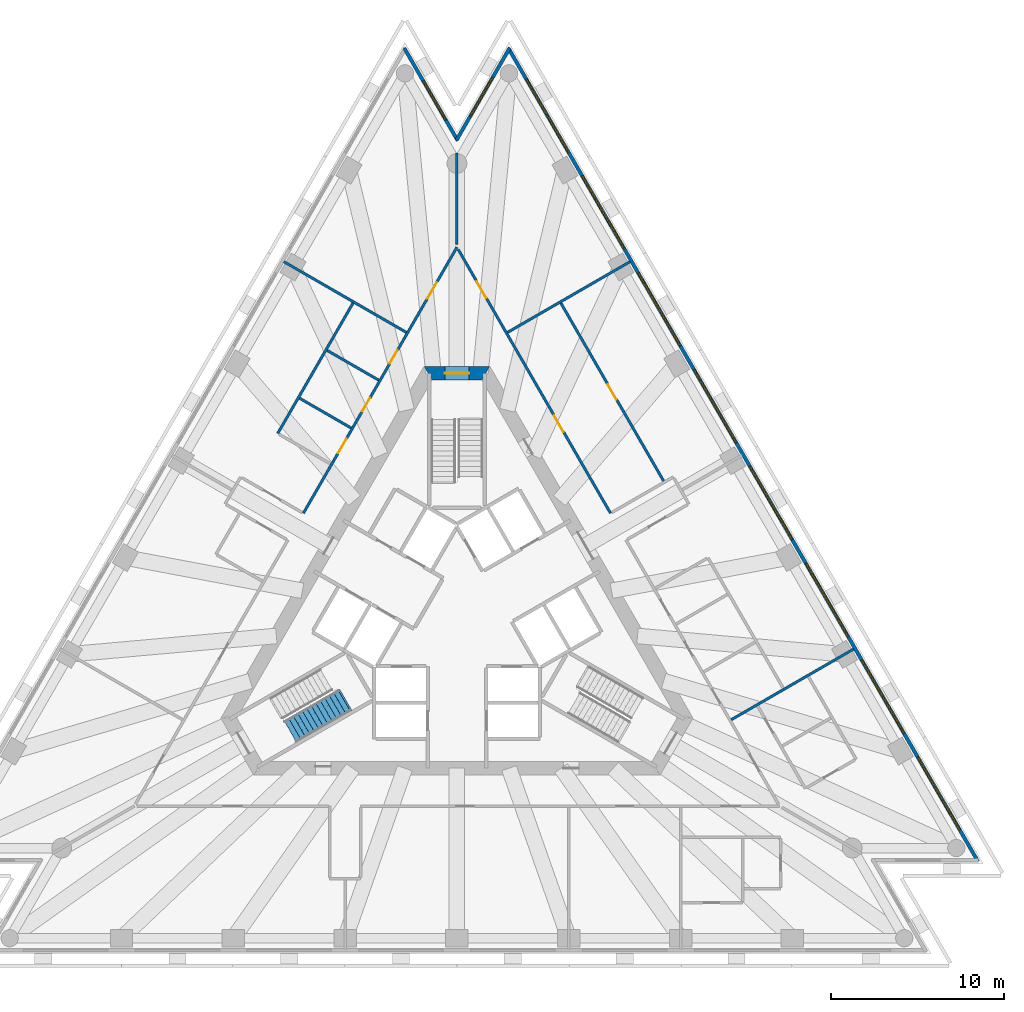
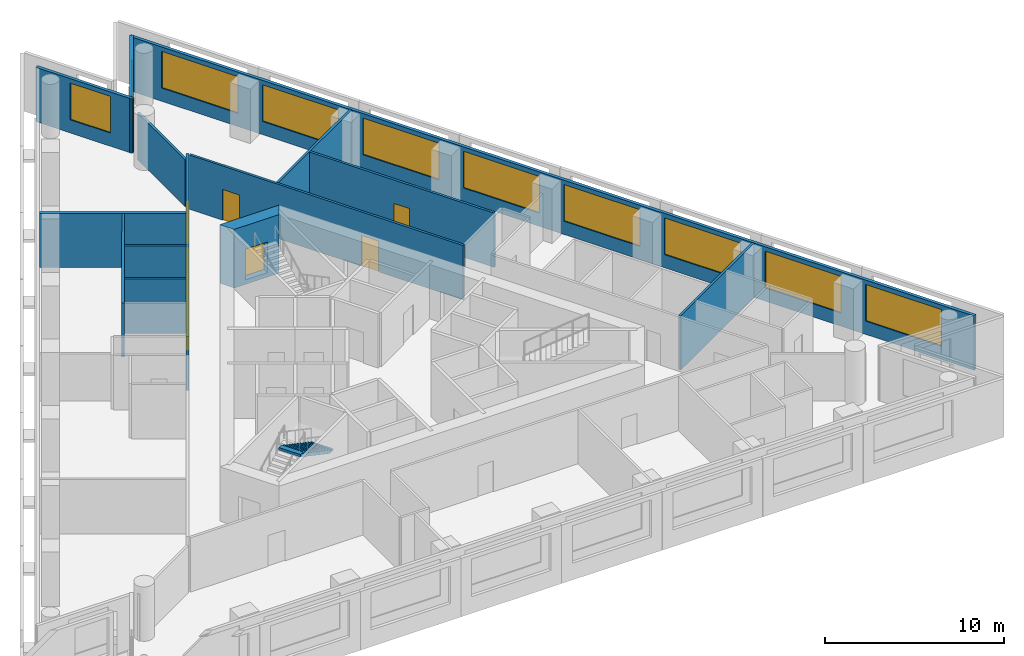
# One storey, part 6 of 9: 14 walls, 10 windows, 8 doors, 1 stair flight, 18 openings, 1 element without a shape of its own.
"""IFC4 building model written with IfcOpenShell, lengths in metres."""

import ifcopenshell
import ifcopenshell.guid

model = None  # the IFC model being written
_history = None  # IfcOwnerHistory: only IFC2X3 demands one
_inside = {}  # id of a spatial element -> (the spatial element, [elements in it])
_under = {}  # id of a project, library or spatial element -> (it, [spatial elements below it])
_declared = {}  # id of a project -> (the project, [libraries it declares])
_typed = {}  # id of a type object -> (the type object, [elements of that type])
_made_of = {}  # id of a material, layer set ... -> (it, [elements and type objects made of it])


def new_model(schema):
    """Start an empty IFC model of exactly this schema.

    Asked for "IFC4X3", IfcOpenShell would pick the latest addendum, in which some entities
    have other attributes; the version numbers below select the first issue.
    IFC2X3 requires an IfcOwnerHistory on every rooted entity: one is made here for all.
    """
    global model, _history
    if schema == "IFC4X3":
        model = ifcopenshell.file(schema_version=(4, 3, 0, 0))
    else:
        model = ifcopenshell.file(schema=schema)
    _inside.clear()
    _under.clear()
    _declared.clear()
    _typed.clear()
    _made_of.clear()
    _history = None
    if model.schema == "IFC2X3":
        org = make("IfcOrganization", Name="unknown")
        user = make(
            "IfcPersonAndOrganization",
            ThePerson=make("IfcPerson", FamilyName="unknown"),
            TheOrganization=org,
        )
        app = make(
            "IfcApplication",
            ApplicationDeveloper=org,
            Version="unknown",
            ApplicationFullName="unknown",
            ApplicationIdentifier="unknown",
        )
        _history = make(
            "IfcOwnerHistory",
            OwningUser=user,
            OwningApplication=app,
            ChangeAction="ADDED",
            CreationDate=0,
        )
    return model


def make(cls, **values):
    """One entity of the class cls with the attributes given. An attribute that is None is left unset."""
    return model.create_entity(
        cls, **{name: value for name, value in values.items() if value is not None}
    )


def rooted(cls, **values):
    """An entity with a GlobalId (a new one), such as an element, a storey or a relation."""
    return make(cls, GlobalId=ifcopenshell.guid.new(), OwnerHistory=_history, **values)


def si_unit(unit_type, name, prefix=None):
    """IfcSIUnit, for example si_unit("LENGTHUNIT", "METRE", prefix="MILLI")."""
    return make("IfcSIUnit", UnitType=unit_type, Prefix=prefix, Name=name)


def assignment(units):
    """IfcUnitAssignment: the units of a project."""
    return None if units is None else make("IfcUnitAssignment", Units=units)


def point(xyz):
    """IfcCartesianPoint."""
    return None if xyz is None else make("IfcCartesianPoint", Coordinates=xyz)


def direction(xyz):
    """IfcDirection."""
    return None if xyz is None else make("IfcDirection", DirectionRatios=xyz)


def frame(location, z_axis=None, x_axis=None):
    """IfcAxis2Placement3D, a coordinate frame: its origin and axes. An axis left out is left unset."""
    return make(
        "IfcAxis2Placement3D",
        Location=point(location),
        Axis=direction(z_axis),
        RefDirection=direction(x_axis),
    )


def frame_2d(location, x_axis=None):
    """IfcAxis2Placement2D, a coordinate frame in the plane: its origin and x axis."""
    return make(
        "IfcAxis2Placement2D", Location=point(location), RefDirection=direction(x_axis)
    )


def origin():
    """The frame at (0, 0, 0) with its axes left unset."""
    return frame((0.0, 0.0, 0.0))


def place(relative_to, where):
    """IfcLocalPlacement: puts the frame where relative to a parent placement (None: the world)."""
    return make(
        "IfcLocalPlacement", PlacementRelTo=relative_to, RelativePlacement=where
    )


def context(
    kind, dimensions, precision=None, world=None, true_north=None, identifier=None
):
    """IfcGeometricRepresentationContext, for example the 3D "Model" context."""
    return make(
        "IfcGeometricRepresentationContext",
        ContextIdentifier=identifier,
        ContextType=kind,
        CoordinateSpaceDimension=dimensions,
        Precision=precision,
        WorldCoordinateSystem=world,
        TrueNorth=true_north,
    )


def subcontext(parent, identifier, kind, view, scale=None):
    """IfcGeometricRepresentationSubContext, for example "Body" below "Model"."""
    return make(
        "IfcGeometricRepresentationSubContext",
        ContextIdentifier=identifier,
        ContextType=kind,
        ParentContext=parent,
        TargetScale=scale,
        TargetView=view,
    )


def project(units=None, contexts=None):
    """IfcProject with its units and contexts."""
    return rooted(
        "IfcProject",
        Name="project",
        RepresentationContexts=contexts,
        UnitsInContext=assignment(units),
    )


def spatial(cls, under=None, at=None, **own):
    """A site, building, storey or space (cls), placed at a placement, below another one or the project."""
    s = rooted(cls, ObjectPlacement=at, **own)
    if under is not None:
        _under.setdefault(under.id(), (under, []))[1].append(s)
    return s


def polyline(points):
    """IfcPolyline through the points."""
    return make("IfcPolyline", Points=[point(p) for p in points])


def profile(cls, at=None, kind="AREA", **sizes):
    """A parametric profile (cls). Its sizes go by their IFC names, for example OverallWidth=200.0."""
    return make(cls, ProfileType=kind, Position=at, **sizes)


def rectangle(**sizes):
    """IfcRectangleProfileDef."""
    return profile("IfcRectangleProfileDef", **sizes)


def outline(outer, holes=None, kind="AREA"):
    """IfcArbitraryClosedProfileDef: a profile drawn as a closed curve; with holes, ...WithVoids."""
    if holes is None:
        return make("IfcArbitraryClosedProfileDef", ProfileType=kind, OuterCurve=outer)
    return make(
        "IfcArbitraryProfileDefWithVoids",
        ProfileType=kind,
        OuterCurve=outer,
        InnerCurves=holes,
    )


def extrude(swept, where, along, depth):
    """IfcExtrudedAreaSolid: the profile swept, set in the frame where, extruded along a direction by depth."""
    return make(
        "IfcExtrudedAreaSolid",
        SweptArea=swept,
        Position=where,
        ExtrudedDirection=direction(along),
        Depth=depth,
    )


def shape(context_of_items, identifier, shape_type, items):
    """IfcShapeRepresentation: the items that make up one representation, for example the "Body"."""
    return make(
        "IfcShapeRepresentation",
        ContextOfItems=context_of_items,
        RepresentationIdentifier=identifier,
        RepresentationType=shape_type,
        Items=items,
    )


def material(Name=None, Category=None):
    """IfcMaterial."""
    return make("IfcMaterial", Name=Name, Category=Category)


def layer(
    of_material, thickness, ventilated=None, Name=None, Category=None, Priority=None
):
    """IfcMaterialLayer: one layer of a wall or slab, of a material (None: an air gap)."""
    return make(
        "IfcMaterialLayer",
        Material=of_material,
        LayerThickness=thickness,
        IsVentilated=ventilated,
        Name=Name,
        Category=Category,
        Priority=Priority,
    )


def layer_set(layers, Name=None):
    """IfcMaterialLayerSet."""
    return make("IfcMaterialLayerSet", MaterialLayers=layers, LayerSetName=Name)


def layer_usage(for_layer_set, set_direction, sense, offset, extent=None):
    """IfcMaterialLayerSetUsage: how a layer set lies in its element."""
    return make(
        "IfcMaterialLayerSetUsage",
        ForLayerSet=for_layer_set,
        LayerSetDirection=set_direction,
        DirectionSense=sense,
        OffsetFromReferenceLine=offset,
        ReferenceExtent=extent,
    )


def made_of(thing, what):
    """Note that an element or type object is made of a material, layer set ...; save() writes the relation."""
    if what is not None:
        _made_of.setdefault(what.id(), (what, []))[1].append(thing)
    return thing


def type_object(cls, material=None, **own):
    """A type object (cls), such as IfcWallType, which elements share."""
    return made_of(rooted(cls, **own), material)


def element(
    cls,
    number,
    at=None,
    inside=None,
    cuts=None,
    type_object=None,
    material=None,
    context=None,
    identifier="Body",
    shape_type=None,
    held_by="IfcProductDefinitionShape",
    body=None,
    shapes=None,
    **own,
):
    """One element of the class cls, such as IfcWall. Its Tag is "e" and its number.

    at: its placement. inside: the storey or other place that contains it. cuts: it is an
    opening in that element (IfcRelVoidsElement). A single representation is given by context,
    identifier, shape_type and body (its items); several are given by shapes. held_by: the class
    of the entity that holds the representations. save() writes the other relations.
    """
    e = rooted(cls, Tag="e%d" % number, ObjectPlacement=at, **own)
    if body is not None:
        shapes = [shape(context, identifier, shape_type, body)]
    if shapes is not None:
        e.Representation = make(held_by, Representations=shapes)
    if inside is not None:
        _inside.setdefault(inside.id(), (inside, []))[1].append(e)
    if cuts is not None:
        rooted(
            "IfcRelVoidsElement", RelatingBuildingElement=cuts, RelatedOpeningElement=e
        )
    if type_object is not None:
        _typed.setdefault(type_object.id(), (type_object, []))[1].append(e)
    return made_of(e, material)


def fill(opening, filler):
    """IfcRelFillsElement: the door or window that sits in an opening."""
    return rooted(
        "IfcRelFillsElement",
        RelatingOpeningElement=opening,
        RelatedBuildingElement=filler,
    )


def aggregate(whole, parts):
    """IfcRelAggregates: a whole, such as a stair, and the parts it consists of."""
    return rooted("IfcRelAggregates", RelatingObject=whole, RelatedObjects=parts)


def save(model, path):
    """Write the relations noted so far, then the file.

    IfcRelAggregates (storeys below a building ...), IfcRelContainedInSpatialStructure (elements
    in a storey), IfcRelDefinesByType, IfcRelAssociatesMaterial and IfcRelDeclares: one each for
    every whole, place, type object, material and project.
    """
    for whole, parts in _under.values():
        aggregate(whole, parts)
    for where, things in _inside.values():
        rooted(
            "IfcRelContainedInSpatialStructure",
            RelatedElements=things,
            RelatingStructure=where,
        )
    for kind, things in _typed.values():
        rooted("IfcRelDefinesByType", RelatedObjects=things, RelatingType=kind)
    for what, things in _made_of.values():
        rooted("IfcRelAssociatesMaterial", RelatedObjects=things, RelatingMaterial=what)
    for by, libraries in _declared.values():
        rooted("IfcRelDeclares", RelatingContext=by, RelatedDefinitions=libraries)
    model.write(path)


model = new_model("IFC4")

# Units and contexts
model_context = context("Model", 3, precision=1e-05, world=origin(), true_north=direction((0.0, 1.0)))
body_context = subcontext(model_context, "Body", "Model", "MODEL_VIEW")
ifc_project = project(units=[si_unit("LENGTHUNIT", "METRE"), si_unit("AREAUNIT", "SQUARE_METRE"), si_unit("VOLUMEUNIT", "CUBIC_METRE"), si_unit("PLANEANGLEUNIT", "RADIAN"), si_unit("MASSUNIT", "GRAM", prefix="KILO")], contexts=[model_context])

# Site, building, storey
site_placement = place(None, origin())
site = spatial("IfcSite", under=ifc_project, at=site_placement, CompositionType="ELEMENT")
building_placement = place(site_placement, origin())
building = spatial("IfcBuilding", under=site, at=building_placement, Name="Triada Interchange Tower", CompositionType="ELEMENT")
storey_placement = place(building_placement, frame((0.0, 0.0, 172.300048828125)))
storey = spatial("IfcBuildingStorey", under=building, at=storey_placement, Name="L40", CompositionType="ELEMENT", Elevation=172.300048828125)

# Wall, opening, door
ifc_material_1 = material(Name="Concrete C60/75", Category="concrete")
ifc_layer_1 = layer(ifc_material_1, 0.800048828125)
ifc_layer_set_1 = layer_set([ifc_layer_1], Name="Core wall B 800")
wall_type_1 = type_object("IfcWallType", Name="Core wall B 800", PredefinedType="SHEAR", material=ifc_layer_set_1)
wall_1_placement = place(storey_placement, frame((1.674072265625, 14.300048828125, -0.300048828125), z_axis=(0.0, 0.0, 1.0), x_axis=(-1.0, 0.0, 0.0)))
wall_1 = element("IfcWall", 1, at=wall_1_placement, inside=storey, type_object=wall_type_1, Name="Core wall WB01 L40", PredefinedType="SHEAR", context=body_context, shape_type="SweptSolid", body=[
    extrude(outline(polyline([(-0.23095703125, -0.39990234375), (1.674072265625, -0.39990234375), (3.5791015625, -0.39990234375), (3.116943359375, 0.39990234375), (1.673828125, 0.39990234375), (0.23095703125, 0.39990234375), (-0.23095703125, -0.39990234375)])), origin(), (0.0, 0.0, 1.0), 4.0),
])
opening_1_placement = place(wall_1_placement, frame((0.97412109375, 0.0, 0.300048828125)))
opening_1 = element("IfcOpeningElement", 2, at=opening_1_placement, cuts=wall_1, Name="Opening D38-36", PredefinedType="OPENING", context=body_context, shape_type="SweptSolid", body=[
    extrude(rectangle(XDim=1.39990234375, YDim=2.10009765625, at=frame_2d((0.699951171875, 1.050048828125))), frame((0.0, 0.409912109375, 0.0), z_axis=(0.0, -1.0, 0.0), x_axis=(1.0, 0.0, 0.0)), (0.0, 0.0, 1.0), 0.820068359375),
])
ifc_material_2 = material(Name="Steel S235 door leaf", Category="steel")
door_type_1 = type_object("IfcDoorType", Name="STAIR DOOR 1400 EI2 90-C5S200", OperationType="DOUBLE_DOOR_SINGLE_SWING", PredefinedType="DOOR", material=ifc_material_2)
door_1_placement = place(opening_1_placement, origin())
door_1 = element("IfcDoor", 3, at=door_1_placement, inside=storey, type_object=door_type_1, Name="Door D38-36 L40", OperationType="DOUBLE_DOOR_SINGLE_SWING", OverallHeight=2.10009765625, OverallWidth=1.39990234375, PredefinedType="DOOR", context=body_context, shape_type="SweptSolid", body=[
    extrude(rectangle(XDim=1.39990234375, YDim=2.10009765625, at=frame_2d((0.699951171875, 1.050048828125))), frame((0.0, 0.02490234375, 0.0), z_axis=(0.0, -1.0, 0.0), x_axis=(1.0, 0.0, 0.0)), (0.0, 0.0, 1.0), 0.050048828125),
])
fill(opening_1, door_1)

# Wall, openings, windows
ifc_material_3 = material(Name="Cement board")
ifc_layer_2 = layer(ifc_material_3, 0.02001953125, Name="Cement board cladding")
ifc_material_4 = material(Name="Sheathing board")
ifc_layer_3 = layer(ifc_material_4, 0.014892578125, Name="Sheathing board")
ifc_material_5 = material(Name="Mineral wool")
ifc_layer_4 = layer(ifc_material_5, 0.14990234375, Name="Mineral wool between steel studs")
ifc_material_6 = material(Name="Gypsum board")
ifc_layer_5 = layer(ifc_material_6, 0.014892578125, Name="Plasterboard lining")
ifc_layer_set_2 = layer_set([ifc_layer_2, ifc_layer_3, ifc_layer_4, ifc_layer_5], Name="External wall 200")
ifc_layer_usage = layer_usage(ifc_layer_set_2, "AXIS2", "POSITIVE", -0.10009765625)
wall_type_2 = type_object("IfcWallType", Name="External wall 200", PredefinedType="ELEMENTEDWALL", material=ifc_layer_set_2)
wall_2_placement = place(storey_placement, frame((30.2041015625, -14.006103515625, 0.0), z_axis=(0.0, 0.0, 1.0), x_axis=(-0.500008017777, 0.866020774669, 0.0)))
wall_2 = element("IfcWall", 4, at=wall_2_placement, inside=storey, type_object=wall_type_2, material=ifc_layer_usage, Name="External wall L40 NE", PredefinedType="ELEMENTEDWALL", context=body_context, shape_type="SweptSolid", body=[
    extrude(rectangle(XDim=54.443359375, YDim=0.199951171875, at=frame_2d((27.2216796875, 0.0))), origin(), (0.0, 0.0, 1.0), 3.699951171875),
])
opening_2_placement = place(wall_2_placement, frame((2.093994140625, 0.0, 0.89990234375)))
opening_2 = element("IfcOpeningElement", 5, at=opening_2_placement, cuts=wall_2, Name="Opening WB21", PredefinedType="OPENING", context=body_context, shape_type="SweptSolid", body=[
    extrude(rectangle(XDim=4.89990234375, YDim=2.5, at=frame_2d((2.449951171875, 1.25))), frame((0.0, 0.10986328125, 0.0), z_axis=(0.0, -1.0, 0.0), x_axis=(1.0, 0.0, 0.0)), (0.0, 0.0, 1.0), 0.219970703125),
])
opening_3_placement = place(wall_2_placement, frame((8.575927734375, 0.0, 0.89990234375)))
opening_3 = element("IfcOpeningElement", 6, at=opening_3_placement, cuts=wall_2, Name="Opening WB22", PredefinedType="OPENING", context=body_context, shape_type="SweptSolid", body=[
    extrude(rectangle(XDim=4.89990234375, YDim=2.5, at=frame_2d((2.449951171875, 1.25))), frame((0.0, 0.10986328125, 0.0), z_axis=(0.0, -1.0, 0.0), x_axis=(1.0, 0.0, 0.0)), (0.0, 0.0, 1.0), 0.219970703125),
])
opening_4_placement = place(wall_2_placement, frame((15.05810546875, 0.0, 0.89990234375)))
opening_4 = element("IfcOpeningElement", 7, at=opening_4_placement, cuts=wall_2, Name="Opening WB23", PredefinedType="OPENING", context=body_context, shape_type="SweptSolid", body=[
    extrude(rectangle(XDim=4.89990234375, YDim=2.5, at=frame_2d((2.449951171875, 1.25))), frame((0.0, 0.10986328125, 0.0), z_axis=(0.0, -1.0, 0.0), x_axis=(1.0, 0.0, 0.0)), (0.0, 0.0, 1.0), 0.219970703125),
])
opening_5_placement = place(wall_2_placement, frame((21.5400390625, 0.0, 0.89990234375)))
opening_5 = element("IfcOpeningElement", 8, at=opening_5_placement, cuts=wall_2, Name="Opening WB24", PredefinedType="OPENING", context=body_context, shape_type="SweptSolid", body=[
    extrude(rectangle(XDim=4.89990234375, YDim=2.5, at=frame_2d((2.449951171875, 1.25))), frame((0.0, 0.10986328125, 0.0), z_axis=(0.0, -1.0, 0.0), x_axis=(1.0, 0.0, 0.0)), (0.0, 0.0, 1.0), 0.219970703125),
])
opening_6_placement = place(wall_2_placement, frame((28.02294921875, 0.0, 0.89990234375)))
opening_6 = element("IfcOpeningElement", 9, at=opening_6_placement, cuts=wall_2, Name="Opening WB25", PredefinedType="OPENING", context=body_context, shape_type="SweptSolid", body=[
    extrude(rectangle(XDim=4.89990234375, YDim=2.5, at=frame_2d((2.449951171875, 1.25))), frame((0.0, 0.10986328125, 0.0), z_axis=(0.0, -1.0, 0.0), x_axis=(1.0, 0.0, 0.0)), (0.0, 0.0, 1.0), 0.219970703125),
])
opening_7_placement = place(wall_2_placement, frame((34.5048828125, 0.0, 0.89990234375)))
opening_7 = element("IfcOpeningElement", 10, at=opening_7_placement, cuts=wall_2, Name="Opening WB26", PredefinedType="OPENING", context=body_context, shape_type="SweptSolid", body=[
    extrude(rectangle(XDim=4.89990234375, YDim=2.5, at=frame_2d((2.449951171875, 1.25))), frame((0.0, 0.10986328125, 0.0), z_axis=(0.0, -1.0, 0.0), x_axis=(1.0, 0.0, 0.0)), (0.0, 0.0, 1.0), 0.219970703125),
])
opening_8_placement = place(wall_2_placement, frame((40.987060546875, 0.0, 0.89990234375)))
opening_8 = element("IfcOpeningElement", 11, at=opening_8_placement, cuts=wall_2, Name="Opening WB27", PredefinedType="OPENING", context=body_context, shape_type="SweptSolid", body=[
    extrude(rectangle(XDim=4.89990234375, YDim=2.5, at=frame_2d((2.449951171875, 1.25))), frame((0.0, 0.10986328125, 0.0), z_axis=(0.0, -1.0, 0.0), x_axis=(1.0, 0.0, 0.0)), (0.0, 0.0, 1.0), 0.219970703125),
])
opening_9_placement = place(wall_2_placement, frame((47.468994140625, 0.0, 0.89990234375)))
opening_9 = element("IfcOpeningElement", 12, at=opening_9_placement, cuts=wall_2, Name="Opening WB28", PredefinedType="OPENING", context=body_context, shape_type="SweptSolid", body=[
    extrude(rectangle(XDim=4.89990234375, YDim=2.5, at=frame_2d((2.449951171875, 1.25))), frame((0.0, 0.10986328125, 0.0), z_axis=(0.0, -1.0, 0.0), x_axis=(1.0, 0.0, 0.0)), (0.0, 0.0, 1.0), 0.219970703125),
])
ifc_material_7 = material(Name="Double glazed aluminium window", Category="aluminium")
window_type_1 = type_object("IfcWindowType", Name="Ribbon window B face", PartitioningType="SINGLE_PANEL", PredefinedType="WINDOW", material=ifc_material_7)
window_1_placement = place(opening_2_placement, origin())
window_1 = element("IfcWindow", 13, at=window_1_placement, inside=storey, type_object=window_type_1, Name="Window L40 NE 1", OverallHeight=2.5, OverallWidth=4.89990234375, PartitioningType="SINGLE_PANEL", PredefinedType="WINDOW", context=body_context, shape_type="SweptSolid", body=[
    extrude(rectangle(XDim=4.89990234375, YDim=2.5, at=frame_2d((2.449951171875, 1.25))), frame((0.0, 0.030029296875, 0.0), z_axis=(0.0, -1.0, 0.0), x_axis=(1.0, 0.0, 0.0)), (0.0, 0.0, 1.0), 0.06005859375),
])
fill(opening_2, window_1)
window_2_placement = place(opening_3_placement, origin())
window_2 = element("IfcWindow", 14, at=window_2_placement, inside=storey, type_object=window_type_1, Name="Window L40 NE 2", OverallHeight=2.5, OverallWidth=4.89990234375, PartitioningType="SINGLE_PANEL", PredefinedType="WINDOW", context=body_context, shape_type="SweptSolid", body=[
    extrude(rectangle(XDim=4.89990234375, YDim=2.5, at=frame_2d((2.449951171875, 1.25))), frame((0.0, 0.030029296875, 0.0), z_axis=(0.0, -1.0, 0.0), x_axis=(1.0, 0.0, 0.0)), (0.0, 0.0, 1.0), 0.06005859375),
])
fill(opening_3, window_2)
window_3_placement = place(opening_4_placement, origin())
window_3 = element("IfcWindow", 15, at=window_3_placement, inside=storey, type_object=window_type_1, Name="Window L40 NE 3", OverallHeight=2.5, OverallWidth=4.89990234375, PartitioningType="SINGLE_PANEL", PredefinedType="WINDOW", context=body_context, shape_type="SweptSolid", body=[
    extrude(rectangle(XDim=4.89990234375, YDim=2.5, at=frame_2d((2.449951171875, 1.25))), frame((0.0, 0.030029296875, 0.0), z_axis=(0.0, -1.0, 0.0), x_axis=(1.0, 0.0, 0.0)), (0.0, 0.0, 1.0), 0.06005859375),
])
fill(opening_4, window_3)
window_4_placement = place(opening_5_placement, origin())
window_4 = element("IfcWindow", 16, at=window_4_placement, inside=storey, type_object=window_type_1, Name="Window L40 NE 4", OverallHeight=2.5, OverallWidth=4.89990234375, PartitioningType="SINGLE_PANEL", PredefinedType="WINDOW", context=body_context, shape_type="SweptSolid", body=[
    extrude(rectangle(XDim=4.89990234375, YDim=2.5, at=frame_2d((2.449951171875, 1.25))), frame((0.0, 0.030029296875, 0.0), z_axis=(0.0, -1.0, 0.0), x_axis=(1.0, 0.0, 0.0)), (0.0, 0.0, 1.0), 0.06005859375),
])
fill(opening_5, window_4)
window_5_placement = place(opening_6_placement, origin())
window_5 = element("IfcWindow", 17, at=window_5_placement, inside=storey, type_object=window_type_1, Name="Window L40 NE 5", OverallHeight=2.5, OverallWidth=4.89990234375, PartitioningType="SINGLE_PANEL", PredefinedType="WINDOW", context=body_context, shape_type="SweptSolid", body=[
    extrude(rectangle(XDim=4.89990234375, YDim=2.5, at=frame_2d((2.449951171875, 1.25))), frame((0.0, 0.030029296875, 0.0), z_axis=(0.0, -1.0, 0.0), x_axis=(1.0, 0.0, 0.0)), (0.0, 0.0, 1.0), 0.06005859375),
])
fill(opening_6, window_5)
window_6_placement = place(opening_7_placement, origin())
window_6 = element("IfcWindow", 18, at=window_6_placement, inside=storey, type_object=window_type_1, Name="Window L40 NE 6", OverallHeight=2.5, OverallWidth=4.89990234375, PartitioningType="SINGLE_PANEL", PredefinedType="WINDOW", context=body_context, shape_type="SweptSolid", body=[
    extrude(rectangle(XDim=4.89990234375, YDim=2.5, at=frame_2d((2.449951171875, 1.25))), frame((0.0, 0.030029296875, 0.0), z_axis=(0.0, -1.0, 0.0), x_axis=(1.0, 0.0, 0.0)), (0.0, 0.0, 1.0), 0.06005859375),
])
fill(opening_7, window_6)
window_7_placement = place(opening_8_placement, origin())
window_7 = element("IfcWindow", 19, at=window_7_placement, inside=storey, type_object=window_type_1, Name="Window L40 NE 7", OverallHeight=2.5, OverallWidth=4.89990234375, PartitioningType="SINGLE_PANEL", PredefinedType="WINDOW", context=body_context, shape_type="SweptSolid", body=[
    extrude(rectangle(XDim=4.89990234375, YDim=2.5, at=frame_2d((2.449951171875, 1.25))), frame((0.0, 0.030029296875, 0.0), z_axis=(0.0, -1.0, 0.0), x_axis=(1.0, 0.0, 0.0)), (0.0, 0.0, 1.0), 0.06005859375),
])
fill(opening_8, window_7)
window_8_placement = place(opening_9_placement, origin())
window_8 = element("IfcWindow", 20, at=window_8_placement, inside=storey, type_object=window_type_1, Name="Window L40 NE 8", OverallHeight=2.5, OverallWidth=4.89990234375, PartitioningType="SINGLE_PANEL", PredefinedType="WINDOW", context=body_context, shape_type="SweptSolid", body=[
    extrude(rectangle(XDim=4.89990234375, YDim=2.5, at=frame_2d((2.449951171875, 1.25))), frame((0.0, 0.030029296875, 0.0), z_axis=(0.0, -1.0, 0.0), x_axis=(1.0, 0.0, 0.0)), (0.0, 0.0, 1.0), 0.06005859375),
])
fill(opening_9, window_8)

# Wall, opening, window
wall_3_placement = place(storey_placement, frame((3.06201171875, 33.159912109375, 0.0), z_axis=(0.0, 0.0, 1.0), x_axis=(-0.50000110078, -0.866024768248, 0.0)))
wall_3 = element("IfcWall", 21, at=wall_3_placement, inside=storey, type_object=wall_type_2, material=ifc_layer_usage, Name="External wall L40 N-1", PredefinedType="ELEMENTEDWALL", context=body_context, shape_type="SweptSolid", body=[
    extrude(rectangle(XDim=6.19384765625, YDim=0.199951171875, at=frame_2d((3.096923828125, 0.0))), origin(), (0.0, 0.0, 1.0), 3.699951171875),
])
opening_10_placement = place(wall_3_placement, frame((1.989990234375, 0.0, 0.89990234375)))
opening_10 = element("IfcOpeningElement", 22, at=opening_10_placement, cuts=wall_3, Name="Opening WB29", PredefinedType="OPENING", context=body_context, shape_type="SweptSolid", body=[
    extrude(rectangle(XDim=2.60009765625, YDim=2.5, at=frame_2d((1.300048828125, 1.25))), frame((0.0, 0.10986328125, 0.0), z_axis=(0.0, -1.0, 0.0), x_axis=(1.0, 0.0, 0.0)), (0.0, 0.0, 1.0), 0.219970703125),
])
window_type_2 = type_object("IfcWindowType", Name="Ribbon window B pocket", PartitioningType="SINGLE_PANEL", PredefinedType="WINDOW", material=ifc_material_7)
window_9_placement = place(opening_10_placement, origin())
window_9 = element("IfcWindow", 23, at=window_9_placement, inside=storey, type_object=window_type_2, Name="Window L40 N-1 1", OverallHeight=2.5, OverallWidth=2.60009765625, PartitioningType="SINGLE_PANEL", PredefinedType="WINDOW", context=body_context, shape_type="SweptSolid", body=[
    extrude(rectangle(XDim=2.60009765625, YDim=2.5, at=frame_2d((1.300048828125, 1.25))), frame((0.0, 0.030029296875, 0.0), z_axis=(0.0, -1.0, 0.0), x_axis=(1.0, 0.0, 0.0)), (0.0, 0.0, 1.0), 0.06005859375),
])
fill(opening_10, window_9)

wall_4_placement = place(storey_placement, frame((0.044921875, 27.779052734375, 0.0), z_axis=(0.0, 0.0, 1.0), x_axis=(-0.50000110078, 0.866024768248, 0.0)))
wall_4 = element("IfcWall", 24, at=wall_4_placement, inside=storey, type_object=wall_type_2, material=ifc_layer_usage, Name="External wall L40 N-2", PredefinedType="ELEMENTEDWALL", context=body_context, shape_type="SweptSolid", body=[
    extrude(rectangle(XDim=6.19384765625, YDim=0.199951171875, at=frame_2d((3.096923828125, 0.0))), origin(), (0.0, 0.0, 1.0), 3.699951171875),
])
opening_11_placement = place(wall_4_placement, frame((1.389892578125, 0.0, 0.89990234375)))
opening_11 = element("IfcOpeningElement", 25, at=opening_11_placement, cuts=wall_4, Name="Opening WB30", PredefinedType="OPENING", context=body_context, shape_type="SweptSolid", body=[
    extrude(rectangle(XDim=2.60009765625, YDim=2.5, at=frame_2d((1.300048828125, 1.25))), frame((0.0, 0.10986328125, 0.0), z_axis=(0.0, -1.0, 0.0), x_axis=(1.0, 0.0, 0.0)), (0.0, 0.0, 1.0), 0.219970703125),
])
window_10_placement = place(opening_11_placement, origin())
window_10 = element("IfcWindow", 26, at=window_10_placement, inside=storey, type_object=window_type_2, Name="Window L40 N-2 1", OverallHeight=2.5, OverallWidth=2.60009765625, PartitioningType="SINGLE_PANEL", PredefinedType="WINDOW", context=body_context, shape_type="SweptSolid", body=[
    extrude(rectangle(XDim=2.60009765625, YDim=2.5, at=frame_2d((1.300048828125, 1.25))), frame((0.0, 0.030029296875, 0.0), z_axis=(0.0, -1.0, 0.0), x_axis=(1.0, 0.0, 0.0)), (0.0, 0.0, 1.0), 0.06005859375),
])
fill(opening_11, window_10)

# Wall, openings, doors
ifc_material_8 = material(Name="Gypsum board partition")
ifc_layer_6 = layer(ifc_material_8, 0.14990234375)
ifc_layer_set_3 = layer_set([ifc_layer_6], Name="PARTITION 150 EI 180")
wall_type_3 = type_object("IfcWallType", Name="PARTITION 150 EI 180", PredefinedType="PARTITIONING", material=ifc_layer_set_3)
wall_5_placement = place(storey_placement, frame((-8.903076171875, 6.179931640625, 0.0), z_axis=(0.0, 0.0, 1.0), x_axis=(0.500010074151, 0.866019587393, 0.0)))
wall_5 = element("IfcWall", 27, at=wall_5_placement, inside=storey, type_object=wall_type_3, Name="Wall L38 9", PredefinedType="PARTITIONING", context=body_context, shape_type="SweptSolid", body=[
    extrude(rectangle(XDim=17.805908203125, YDim=0.14990234375, at=frame_2d((8.90283203125, 0.0))), origin(), (0.0, 0.0, 1.0), 3.699951171875),
])
opening_12_placement = place(wall_5_placement, frame((14.35595703125, 0.0, 0.0)))
opening_12 = element("IfcOpeningElement", 28, at=opening_12_placement, cuts=wall_5, Name="Opening D38-27", PredefinedType="OPENING", context=body_context, shape_type="SweptSolid", body=[
    extrude(rectangle(XDim=1.10009765625, YDim=2.10009765625, at=frame_2d((0.550048828125, 1.050048828125))), frame((0.0, 0.0849609375, 0.0), z_axis=(0.0, -1.0, 0.0), x_axis=(1.0, 0.0, 0.0)), (0.0, 0.0, 1.0), 0.169921875),
])
opening_13_placement = place(wall_5_placement, frame((10.013916015625, 0.0, 0.0)))
opening_13 = element("IfcOpeningElement", 29, at=opening_13_placement, cuts=wall_5, Name="Opening D38-29", PredefinedType="OPENING", context=body_context, shape_type="SweptSolid", body=[
    extrude(rectangle(XDim=0.89990234375, YDim=2.10009765625, at=frame_2d((0.449951171875, 1.050048828125))), frame((0.0, 0.0849609375, 0.0), z_axis=(0.0, -1.0, 0.0), x_axis=(1.0, 0.0, 0.0)), (0.0, 0.0, 1.0), 0.169921875),
])
opening_14_placement = place(wall_5_placement, frame((6.81396484375, 0.0, 0.0)))
opening_14 = element("IfcOpeningElement", 30, at=opening_14_placement, cuts=wall_5, Name="Opening D38-30", PredefinedType="OPENING", context=body_context, shape_type="SweptSolid", body=[
    extrude(rectangle(XDim=0.89990234375, YDim=2.10009765625, at=frame_2d((0.449951171875, 1.050048828125))), frame((0.0, 0.0849609375, 0.0), z_axis=(0.0, -1.0, 0.0), x_axis=(1.0, 0.0, 0.0)), (0.0, 0.0, 1.0), 0.169921875),
])
opening_15_placement = place(wall_5_placement, frame((4.013916015625, 0.0, 0.0)))
opening_15 = element("IfcOpeningElement", 31, at=opening_15_placement, cuts=wall_5, Name="Opening D38-31", PredefinedType="OPENING", context=body_context, shape_type="SweptSolid", body=[
    extrude(rectangle(XDim=1.0, YDim=2.10009765625, at=frame_2d((0.5, 1.050048828125))), frame((0.0, 0.0849609375, 0.0), z_axis=(0.0, -1.0, 0.0), x_axis=(1.0, 0.0, 0.0)), (0.0, 0.0, 1.0), 0.169921875),
])
door_type_2 = type_object("IfcDoorType", Name="ROOM DOOR 1000 EI2 90-C5S200", OperationType="NOTDEFINED", PredefinedType="DOOR", material=ifc_material_2)
door_2_placement = place(opening_15_placement, origin())
door_2 = element("IfcDoor", 32, at=door_2_placement, inside=storey, type_object=door_type_2, Name="Door D38-31 L40", OperationType="SINGLE_SWING_LEFT", OverallHeight=2.10009765625, OverallWidth=1.0, PredefinedType="DOOR", context=body_context, shape_type="SweptSolid", body=[
    extrude(rectangle(XDim=1.0, YDim=2.10009765625, at=frame_2d((0.5, 1.050048828125))), frame((0.0, 0.02490234375, 0.0), z_axis=(0.0, -1.0, 0.0), x_axis=(1.0, 0.0, 0.0)), (0.0, 0.0, 1.0), 0.050048828125),
])
fill(opening_15, door_2)
door_type_3 = type_object("IfcDoorType", Name="ROOM DOOR 900 EI2 90-C5S200", OperationType="NOTDEFINED", PredefinedType="DOOR", material=ifc_material_2)
door_3_placement = place(opening_13_placement, origin())
door_3 = element("IfcDoor", 33, at=door_3_placement, inside=storey, type_object=door_type_3, Name="Door D38-29 L40", OperationType="SINGLE_SWING_RIGHT", OverallHeight=2.10009765625, OverallWidth=0.89990234375, PredefinedType="DOOR", context=body_context, shape_type="SweptSolid", body=[
    extrude(rectangle(XDim=0.89990234375, YDim=2.10009765625, at=frame_2d((0.449951171875, 1.050048828125))), frame((0.0, 0.02490234375, 0.0), z_axis=(0.0, -1.0, 0.0), x_axis=(1.0, 0.0, 0.0)), (0.0, 0.0, 1.0), 0.050048828125),
])
fill(opening_13, door_3)
door_4_placement = place(opening_14_placement, origin())
door_4 = element("IfcDoor", 34, at=door_4_placement, inside=storey, type_object=door_type_3, Name="Door D38-30 L40", OperationType="SINGLE_SWING_RIGHT", OverallHeight=2.10009765625, OverallWidth=0.89990234375, PredefinedType="DOOR", context=body_context, shape_type="SweptSolid", body=[
    extrude(rectangle(XDim=0.89990234375, YDim=2.10009765625, at=frame_2d((0.449951171875, 1.050048828125))), frame((0.0, 0.02490234375, 0.0), z_axis=(0.0, -1.0, 0.0), x_axis=(1.0, 0.0, 0.0)), (0.0, 0.0, 1.0), 0.050048828125),
])
fill(opening_14, door_4)
door_type_4 = type_object("IfcDoorType", Name="TENANCY ENTRANCE DOOR 1100 EI2 90-C5S200", OperationType="NOTDEFINED", PredefinedType="DOOR", material=ifc_material_2)
door_5_placement = place(opening_12_placement, origin())
door_5 = element("IfcDoor", 35, at=door_5_placement, inside=storey, type_object=door_type_4, Name="Door D38-27 L40", OperationType="SINGLE_SWING_RIGHT", OverallHeight=2.10009765625, OverallWidth=1.10009765625, PredefinedType="DOOR", context=body_context, shape_type="SweptSolid", body=[
    extrude(rectangle(XDim=1.10009765625, YDim=2.10009765625, at=frame_2d((0.550048828125, 1.050048828125))), frame((0.0, 0.02490234375, 0.0), z_axis=(0.0, -1.0, 0.0), x_axis=(1.0, 0.0, 0.0)), (0.0, 0.0, 1.0), 0.050048828125),
])
fill(opening_12, door_5)

# Walls
wall_6_placement = place(storey_placement, frame((-10.035888671875, 20.763916015625, 0.0), z_axis=(0.0, 0.0, 1.0), x_axis=(0.866037308103, -0.499979380549, 0.0)))
element("IfcWall", 36, at=wall_6_placement, inside=storey, type_object=wall_type_3, Name="Wall L38 17", PredefinedType="PARTITIONING", context=body_context, shape_type="SweptSolid", body=[
    extrude(rectangle(XDim=8.197998046875, YDim=0.14990234375, at=frame_2d((4.09912109375, 0.0))), origin(), (0.0, 0.0, 1.0), 3.699951171875),
])
wall_7_placement = place(storey_placement, frame((-10.388916015625, 10.805908203125, 0.0), z_axis=(0.0, 0.0, 1.0), x_axis=(0.500042162787, 0.86600105972, 0.0)))
element("IfcWall", 37, at=wall_7_placement, inside=storey, type_object=wall_type_3, Name="Wall L38 18", PredefinedType="PARTITIONING", context=body_context, shape_type="SweptSolid", body=[
    extrude(rectangle(XDim=8.725341796875, YDim=0.14990234375, at=frame_2d((4.36279296875, 0.0))), origin(), (0.0, 0.0, 1.0), 3.699951171875),
])
for number, where, z_axis, x_axis, name in (
    (38, (-9.1240234375, 12.846923828125, 0.0), (0.0, 0.0, 1.0), (0.866061862632, -0.499936846106, 0.0), "Wall L38 20"),
    (39, (-7.52392578125, 15.618896484375, 0.0), (0.0, 0.0, 1.0), (0.866061862632, -0.499936846106, 0.0), "Wall L38 21"),
):
    element("IfcWall", number, at=place(storey_placement, frame(where, z_axis=z_axis, x_axis=x_axis)), inside=storey, type_object=wall_type_3, Name=name, PredefinedType="PARTITIONING", context=body_context, shape_type="SweptSolid", body=[
        extrude(rectangle(XDim=3.4501953125, YDim=0.14990234375, at=frame_2d((1.72509765625, 0.0))), origin(), (0.0, 0.0, 1.0), 3.699951171875),
    ])
wall_8_placement = place(storey_placement, frame((0.0, 21.75, 0.0), z_axis=(0.0, 0.0, 1.0), x_axis=(0.0, 1.0, 0.0)))
element("IfcWall", 40, at=wall_8_placement, inside=storey, type_object=wall_type_3, Name="Wall L38 24", PredefinedType="PARTITIONING", context=body_context, shape_type="SweptSolid", body=[
    extrude(rectangle(XDim=5.326904296875, YDim=0.14990234375, at=frame_2d((2.66357421875, 0.0))), origin(), (0.0, 0.0, 1.0), 3.199951171875),
])

# Wall, openings, doors
wall_9_placement = place(storey_placement, frame((0.075927734375, 21.468017578125, 0.0), z_axis=(0.0, 0.0, 1.0), x_axis=(0.500024127084, -0.866011473558, 0.0)))
wall_9 = element("IfcWall", 41, at=wall_9_placement, inside=storey, type_object=wall_type_3, Name="Wall L38 25", PredefinedType="PARTITIONING", context=body_context, shape_type="SweptSolid", body=[
    extrude(rectangle(XDim=17.653564453125, YDim=0.14990234375, at=frame_2d((8.82666015625, 0.0))), origin(), (0.0, 0.0, 1.0), 3.699951171875),
])
opening_16_placement = place(wall_9_placement, frame((11.10400390625, 0.0, 0.0)))
opening_16 = element("IfcOpeningElement", 42, at=opening_16_placement, cuts=wall_9, Name="Opening D38-24", PredefinedType="OPENING", context=body_context, shape_type="SweptSolid", body=[
    extrude(rectangle(XDim=1.10009765625, YDim=2.10009765625, at=frame_2d((0.550048828125, 1.050048828125))), frame((0.0, 0.0849609375, 0.0), z_axis=(0.0, -1.0, 0.0), x_axis=(1.0, 0.0, 0.0)), (0.0, 0.0, 1.0), 0.169921875),
])
opening_17_placement = place(wall_9_placement, frame((2.139892578125, 0.0, 0.0)))
opening_17 = element("IfcOpeningElement", 43, at=opening_17_placement, cuts=wall_9, Name="Opening D38-26", PredefinedType="OPENING", context=body_context, shape_type="SweptSolid", body=[
    extrude(rectangle(XDim=1.10009765625, YDim=2.10009765625, at=frame_2d((0.550048828125, 1.050048828125))), frame((0.0, 0.0849609375, 0.0), z_axis=(0.0, -1.0, 0.0), x_axis=(1.0, 0.0, 0.0)), (0.0, 0.0, 1.0), 0.169921875),
])
door_6_placement = place(opening_16_placement, origin())
door_6 = element("IfcDoor", 44, at=door_6_placement, inside=storey, type_object=door_type_4, Name="Door D38-24 L40", OperationType="SINGLE_SWING_LEFT", OverallHeight=2.10009765625, OverallWidth=1.10009765625, PredefinedType="DOOR", context=body_context, shape_type="SweptSolid", body=[
    extrude(rectangle(XDim=1.10009765625, YDim=2.10009765625, at=frame_2d((0.550048828125, 1.050048828125))), frame((0.0, 0.02490234375, 0.0), z_axis=(0.0, -1.0, 0.0), x_axis=(1.0, 0.0, 0.0)), (0.0, 0.0, 1.0), 0.050048828125),
])
fill(opening_16, door_6)
door_7_placement = place(opening_17_placement, origin())
door_7 = element("IfcDoor", 45, at=door_7_placement, inside=storey, type_object=door_type_4, Name="Door D38-26 L40", OperationType="SINGLE_SWING_LEFT", OverallHeight=2.10009765625, OverallWidth=1.10009765625, PredefinedType="DOOR", context=body_context, shape_type="SweptSolid", body=[
    extrude(rectangle(XDim=1.10009765625, YDim=2.10009765625, at=frame_2d((0.550048828125, 1.050048828125))), frame((0.0, 0.02490234375, 0.0), z_axis=(0.0, -1.0, 0.0), x_axis=(1.0, 0.0, 0.0)), (0.0, 0.0, 1.0), 0.050048828125),
])
fill(opening_17, door_7)

# Walls
wall_10_placement = place(storey_placement, frame((2.93603515625, 16.6650390625, 0.0), z_axis=(0.0, 0.0, 1.0), x_axis=(0.866037308103, 0.499979380549, 0.0)))
element("IfcWall", 46, at=wall_10_placement, inside=storey, type_object=wall_type_3, Name="Wall L38 27", PredefinedType="PARTITIONING", context=body_context, shape_type="SweptSolid", body=[
    extrude(rectangle(XDim=8.197998046875, YDim=0.14990234375, at=frame_2d((4.09912109375, 0.0))), origin(), (0.0, 0.0, 1.0), 3.699951171875),
])
wall_11_placement = place(storey_placement, frame((15.89990234375, -5.7900390625, 0.0), z_axis=(0.0, 0.0, 1.0), x_axis=(0.866061630889, 0.499937247563, 0.0)))
element("IfcWall", 47, at=wall_11_placement, inside=storey, type_object=wall_type_3, Name="Wall L38 37", PredefinedType="PARTITIONING", context=body_context, shape_type="SweptSolid", body=[
    extrude(rectangle(XDim=8.19921875, YDim=0.14990234375, at=frame_2d((4.099609375, 0.0))), origin(), (0.0, 0.0, 1.0), 3.699951171875),
])

# Wall, opening, door
ifc_layer_7 = layer(ifc_material_8, 0.14990234375)
ifc_layer_set_4 = layer_set([ifc_layer_7], Name="PARTITION 150 EI 90")
wall_type_4 = type_object("IfcWallType", Name="PARTITION 150 EI 90", PredefinedType="PARTITIONING", material=ifc_layer_set_4)
wall_12_placement = place(storey_placement, frame((6.02587890625, 18.362060546875, 0.0), z_axis=(0.0, 0.0, 1.0), x_axis=(0.499991479218, -0.866030323204, 0.0)))
wall_12 = element("IfcWall", 48, at=wall_12_placement, inside=storey, type_object=wall_type_4, Name="Wall L38 38", PredefinedType="PARTITIONING", context=body_context, shape_type="SweptSolid", body=[
    extrude(rectangle(XDim=11.914306640625, YDim=0.14990234375, at=frame_2d((5.95703125, 0.0))), origin(), (0.0, 0.0, 1.0), 3.699951171875),
])
opening_18_placement = place(wall_12_placement, frame((5.43896484375, 0.0, 0.0)))
opening_18 = element("IfcOpeningElement", 49, at=opening_18_placement, cuts=wall_12, Name="Opening D38-25", PredefinedType="OPENING", context=body_context, shape_type="SweptSolid", body=[
    extrude(rectangle(XDim=1.0, YDim=2.10009765625, at=frame_2d((0.5, 1.050048828125))), frame((0.0, 0.0849609375, 0.0), z_axis=(0.0, -1.0, 0.0), x_axis=(1.0, 0.0, 0.0)), (0.0, 0.0, 1.0), 0.169921875),
])
door_type_5 = type_object("IfcDoorType", Name="ROOM DOOR 1000 EI2 45-C5S200", OperationType="NOTDEFINED", PredefinedType="DOOR", material=ifc_material_2)
door_8_placement = place(opening_18_placement, origin())
door_8 = element("IfcDoor", 50, at=door_8_placement, inside=storey, type_object=door_type_5, Name="Door D38-25 L40", OperationType="SINGLE_SWING_RIGHT", OverallHeight=2.10009765625, OverallWidth=1.0, PredefinedType="DOOR", context=body_context, shape_type="SweptSolid", body=[
    extrude(rectangle(XDim=1.0, YDim=2.10009765625, at=frame_2d((0.5, 1.050048828125))), frame((0.0, 0.02490234375, 0.0), z_axis=(0.0, -1.0, 0.0), x_axis=(1.0, 0.0, 0.0)), (0.0, 0.0, 1.0), 0.050048828125),
])
fill(opening_18, door_8)

# Stair, stair flight
ifc_material_9 = material(Name="Concrete C35/45", Category="concrete")
stair_type = type_object("IfcStairType", Name="HALF TURN STAIR 1400", PredefinedType="HALF_TURN_STAIR", material=ifc_material_9)
stair_placement = place(storey_placement, origin())
stair = element("IfcStair", 51, at=stair_placement, inside=storey, type_object=stair_type, Name="Exit stair S38-2", PredefinedType="HALF_TURN_STAIR")
stair_flight_type = type_object("IfcStairFlightType", Name="STRAIGHT STAIR FLIGHT 1400", PredefinedType="STRAIGHT", material=ifc_material_9)
stair_flight_placement = place(storey_placement, frame((-6.528076171875, -4.693115234375, 1.919921875), z_axis=(0.0, 0.0, 1.0), x_axis=(-0.866025403784, -0.5, 0.0)))
stair_flight = element("IfcStairFlight", 52, at=stair_flight_placement, type_object=stair_flight_type, Name="S38-2 flight 2", NumberOfRisers=13, NumberOfTreads=12, PredefinedType="STRAIGHT", RiserHeight=0.16, TreadLength=0.3, context=body_context, shape_type="SweptSolid", body=[
    extrude(outline(polyline([(-0.10009765625, 0.0), (-0.10009765625, 0.02001953125), (0.0, 0.02001953125), (0.0, 0.159912109375), (0.300048828125, 0.159912109375), (0.300048828125, 0.320068359375), (0.60009765625, 0.320068359375), (0.60009765625, 0.47998046875), (0.89990234375, 0.47998046875), (0.89990234375, 0.639892578125), (1.199951171875, 0.639892578125), (1.199951171875, 0.800048828125), (1.5, 0.800048828125), (1.5, 0.9599609375), (1.800048828125, 0.9599609375), (1.800048828125, 1.1201171875), (2.10009765625, 1.1201171875), (2.10009765625, 1.280029296875), (2.39990234375, 1.280029296875), (2.39990234375, 1.43994140625), (2.699951171875, 1.43994140625), (2.699951171875, 1.60009765625), (3.0, 1.60009765625), (3.0, 1.760009765625), (3.300048828125, 1.760009765625), (3.300048828125, 1.919921875), (3.60009765625, 1.919921875), (3.60400390625, 1.919921875), (3.60400390625, 2.080078125), (3.60400390625, 1.75), (0.318603515625, 0.0), (-0.10009765625, 0.0)])), frame((0.0, 0.699951171875, 0.0), z_axis=(0.0, -1.0, 0.0), x_axis=(1.0, 0.0, 0.0)), (0.0, 0.0, 1.0), 0.46533203125),
    extrude(outline(polyline([(-0.10009765625, 0.0), (-0.10009765625, 0.02001953125), (0.0, 0.02001953125), (0.0, 0.159912109375), (0.300048828125, 0.159912109375), (0.300048828125, 0.320068359375), (0.60009765625, 0.320068359375), (0.60009765625, 0.47998046875), (0.89990234375, 0.47998046875), (0.89990234375, 0.639892578125), (1.199951171875, 0.639892578125), (1.199951171875, 0.800048828125), (1.5, 0.800048828125), (1.5, 0.9599609375), (1.800048828125, 0.9599609375), (1.800048828125, 1.1201171875), (2.10009765625, 1.1201171875), (2.10009765625, 1.280029296875), (2.39990234375, 1.280029296875), (2.39990234375, 1.43994140625), (2.699951171875, 1.43994140625), (2.699951171875, 1.60009765625), (3.0, 1.60009765625), (3.0, 1.760009765625), (3.300048828125, 1.760009765625), (3.300048828125, 1.919921875), (3.60009765625, 1.919921875), (3.60400390625, 1.919921875), (3.60400390625, 2.080078125), (3.60400390625, 1.75), (0.318603515625, 0.0), (-0.10009765625, 0.0)])), frame((0.0, 0.232666015625, 0.0), z_axis=(0.0, -1.0, 0.0), x_axis=(1.0, 0.0, 0.0)), (0.0, 0.0, 1.0), 0.46533203125),
    extrude(outline(polyline([(-0.10009765625, 0.0), (-0.10009765625, 0.02001953125), (0.0, 0.02001953125), (0.0, 0.159912109375), (0.300048828125, 0.159912109375), (0.300048828125, 0.320068359375), (0.60009765625, 0.320068359375), (0.60009765625, 0.47998046875), (0.89990234375, 0.47998046875), (0.89990234375, 0.639892578125), (1.199951171875, 0.639892578125), (1.199951171875, 0.800048828125), (1.5, 0.800048828125), (1.5, 0.9599609375), (1.800048828125, 0.9599609375), (1.800048828125, 1.1201171875), (2.10009765625, 1.1201171875), (2.10009765625, 1.280029296875), (2.39990234375, 1.280029296875), (2.39990234375, 1.43994140625), (2.699951171875, 1.43994140625), (2.699951171875, 1.60009765625), (3.0, 1.60009765625), (3.0, 1.760009765625), (3.300048828125, 1.760009765625), (3.300048828125, 1.919921875), (3.60009765625, 1.919921875), (3.60400390625, 1.919921875), (3.60400390625, 2.080078125), (3.60400390625, 1.75), (0.318603515625, 0.0), (-0.10009765625, 0.0)])), frame((0.0, -0.234619140625, 0.0), z_axis=(0.0, -1.0, 0.0), x_axis=(1.0, 0.0, 0.0)), (0.0, 0.0, 1.0), 0.46533203125),
])
aggregate(stair, [stair_flight])

save(model, "model.ifc")
